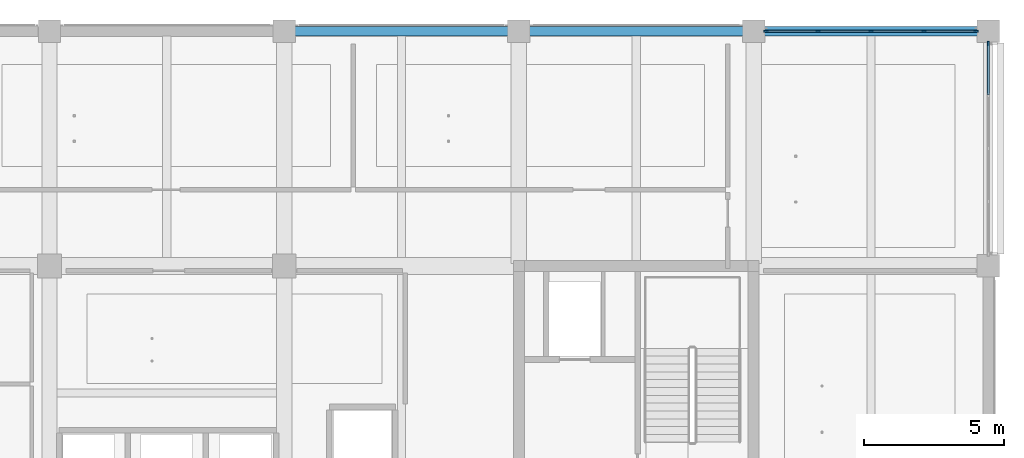
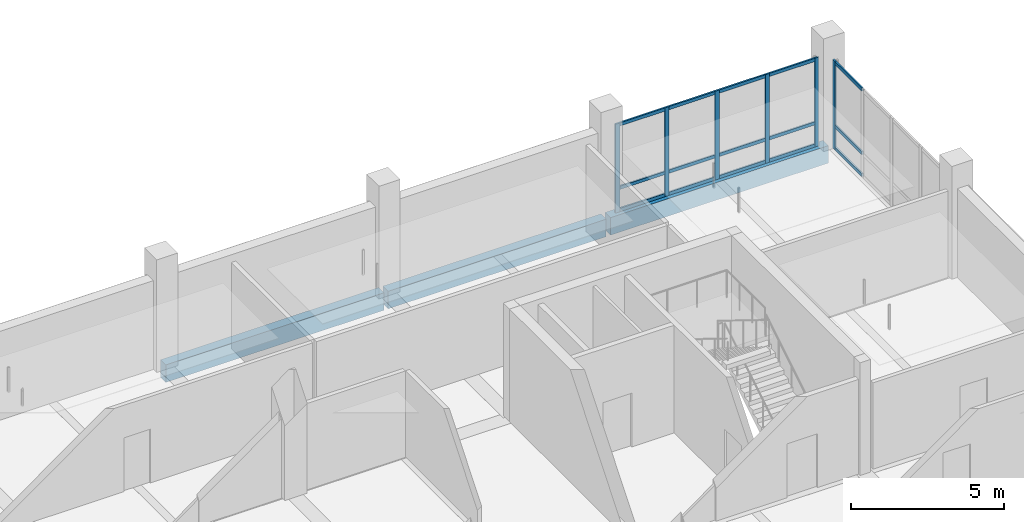
# One storey, part 9 of 35: 21 members, 3 beams, 2 elements without a shape of their own.
"""IFC4 building model written with IfcOpenShell, lengths in metres."""

from ifc_helpers import new_model, si_unit, direction, frame, origin, origin_2d, place, context, subcontext, project, spatial, rectangle, extrude, material, layer, layer_set, material_profile, profile_set, type_object, element, aggregate, save


model = new_model("IFC4")

# Units and contexts
model_context = context("Model", 3, precision=1e-05, world=origin(), true_north=direction((0.0, 1.0)))
body_context = subcontext(model_context, "Body", "Model", "MODEL_VIEW")
ifc_project = project(units=[si_unit("LENGTHUNIT", "METRE"), si_unit("AREAUNIT", "SQUARE_METRE"), si_unit("VOLUMEUNIT", "CUBIC_METRE"), si_unit("PLANEANGLEUNIT", "RADIAN"), si_unit("MASSUNIT", "GRAM", prefix="KILO")], contexts=[model_context])

# Site, building, storey
site_placement = place(None, origin())
site = spatial("IfcSite", under=ifc_project, at=site_placement, CompositionType="ELEMENT")
building_placement = place(site_placement, origin())
building = spatial("IfcBuilding", under=site, at=building_placement, Name="Telukmera Botanical Conservatory", CompositionType="ELEMENT")
storey_placement = place(building_placement, frame((0.0, 0.0, 28.5)))
storey = spatial("IfcBuildingStorey", under=building, at=storey_placement, Name="L06", CompositionType="ELEMENT", Elevation=28.5)

# Beams
ifc_material_1 = material(Name="Precast concrete C40/50", Category="concrete")
ifc_material_profile_1 = material_profile(ifc_material_1, rectangle(XDim=0.35009765625, YDim=0.699951171875, at=origin_2d()), Name="PC 350x700")
ifc_profile_set_1 = profile_set([ifc_material_profile_1], Name="Precast concrete C40/50")
beam_type = type_object("IfcBeamType", Name="Beam_SP2", PredefinedType="SPANDREL", material=ifc_profile_set_1)
for number, where, z_axis, x_axis, name in (
    (1, (84.080078125, 42.800048828125, -0.35009765625), (1.0, 0.0, 0.0), (0.0, 1.0, 0.0), "Tower Grid Beam L06"),
    (2, (92.47998046875, 42.800048828125, -0.35009765625), (1.0, 0.0, 0.0), (0.0, 1.0, 0.0), "Tower Grid Beam L06"),
):
    element("IfcBeam", number, at=place(storey_placement, frame(where, z_axis=z_axis, x_axis=x_axis)), inside=storey, type_object=beam_type, Name=name, PredefinedType="SPANDREL", context=body_context, shape_type="SweptSolid", body=[
        extrude(rectangle(XDim=0.35009765625, YDim=0.699951171875, at=origin_2d()), origin(), (0.0, 0.0, 1.0), 8.239990234375),
    ])
beam_placement = place(storey_placement, frame((100.8798828125, 42.800048828125, -0.35009765625), z_axis=(1.0, 0.0, 0.0), x_axis=(0.0, 1.0, 0.0)))
element("IfcBeam", 3, at=beam_placement, inside=storey, type_object=beam_type, Name="Tower Grid Beam L06", PredefinedType="SPANDREL", context=body_context, shape_type="SweptSolid", body=[
    extrude(rectangle(XDim=0.35009765625, YDim=0.699951171875, at=origin_2d()), origin(), (0.0, 0.0, 1.0), 8.240234375),
])

# Curtain wall, members
ifc_material_2 = material(Name="Anodised aluminium 6063-T6", Category="aluminium")
ifc_layer = layer(ifc_material_2, 0.179931640625)
ifc_layer_set = layer_set([ifc_layer], Name="Anodised aluminium 6063-T6")
curtain_wall_type = type_object("IfcCurtainWallType", Name="Tower Herbarium Curation Corner Curtain Wall", PredefinedType="USERDEFINED", material=ifc_layer_set)
curtain_wall_1_placement = place(storey_placement, origin())
curtain_wall_1 = element("IfcCurtainWall", 4, at=curtain_wall_1_placement, inside=storey, type_object=curtain_wall_type, Name="Unitised Curtain Wall CW14 V4:L06:N7", ObjectType="UNITISED CURTAIN WALL", PredefinedType="USERDEFINED")
ifc_material_profile_2 = material_profile(ifc_material_2, rectangle(XDim=0.06494140625, YDim=0.159912109375, at=origin_2d()), Name="ALU MULL 65x160")
ifc_profile_set_2 = profile_set([ifc_material_profile_2], Name="Anodised aluminium 6063-T6")
member_type_1 = type_object("IfcMemberType", Name="Curtain Wall Extruded Mullion 65x160", PredefinedType="MULLION", material=ifc_profile_set_2)
member_1_placement = place(storey_placement, frame((101.234619140625, 42.800048828125, 0.0), z_axis=(0.0, 0.0, 1.0), x_axis=(0.0, 1.0, 0.0)))
member_1 = element("IfcMember", 5, at=member_1_placement, type_object=member_type_1, Name="CW14 mullion 1", PredefinedType="MULLION", context=body_context, shape_type="SweptSolid", body=[
    extrude(rectangle(XDim=0.06494140625, YDim=0.159912109375, at=origin_2d()), origin(), (0.0, 0.0, 1.0), 3.550048828125),
])
member_2_placement = place(storey_placement, frame((103.10107421875, 42.800048828125, 0.0), z_axis=(0.0, 0.0, 1.0), x_axis=(0.0, 1.0, 0.0)))
member_2 = element("IfcMember", 6, at=member_2_placement, type_object=member_type_1, Name="CW14 mullion 2", PredefinedType="MULLION", context=body_context, shape_type="SweptSolid", body=[
    extrude(rectangle(XDim=0.06494140625, YDim=0.159912109375, at=origin_2d()), origin(), (0.0, 0.0, 1.0), 3.550048828125),
])
member_3_placement = place(storey_placement, frame((105.0, 42.800048828125, 0.0), z_axis=(0.0, 0.0, 1.0), x_axis=(0.0, 1.0, 0.0)))
member_3 = element("IfcMember", 7, at=member_3_placement, type_object=member_type_1, Name="CW14 mullion 3", PredefinedType="MULLION", context=body_context, shape_type="SweptSolid", body=[
    extrude(rectangle(XDim=0.06494140625, YDim=0.159912109375, at=origin_2d()), origin(), (0.0, 0.0, 1.0), 3.550048828125),
])
member_4_placement = place(storey_placement, frame((106.89892578125, 42.800048828125, 0.0), z_axis=(0.0, 0.0, 1.0), x_axis=(0.0, 1.0, 0.0)))
member_4 = element("IfcMember", 8, at=member_4_placement, type_object=member_type_1, Name="CW14 mullion 4", PredefinedType="MULLION", context=body_context, shape_type="SweptSolid", body=[
    extrude(rectangle(XDim=0.06494140625, YDim=0.159912109375, at=origin_2d()), origin(), (0.0, 0.0, 1.0), 3.550048828125),
])
member_5_placement = place(storey_placement, frame((108.765380859375, 42.800048828125, 0.0), z_axis=(0.0, 0.0, 1.0), x_axis=(0.0, 1.0, 0.0)))
member_5 = element("IfcMember", 9, at=member_5_placement, type_object=member_type_1, Name="CW14 mullion 5", PredefinedType="MULLION", context=body_context, shape_type="SweptSolid", body=[
    extrude(rectangle(XDim=0.06494140625, YDim=0.159912109375, at=origin_2d()), origin(), (0.0, 0.0, 1.0), 3.550048828125),
])

# Curtain wall, member
curtain_wall_2_placement = place(storey_placement, origin())
curtain_wall_2 = element("IfcCurtainWall", 10, at=curtain_wall_2_placement, inside=storey, type_object=curtain_wall_type, Name="Unitised Curtain Wall CW14 V4:L06:E4", ObjectType="UNITISED CURTAIN WALL", PredefinedType="USERDEFINED")
member_6_placement = place(storey_placement, frame((109.199951171875, 42.365478515625, 0.0), z_axis=(0.0, 0.0, 1.0), x_axis=(-1.0, 0.0, 0.0)))
member_6 = element("IfcMember", 11, at=member_6_placement, type_object=member_type_1, Name="CW14 mullion 5", PredefinedType="MULLION", context=body_context, shape_type="SweptSolid", body=[
    extrude(rectangle(XDim=0.06494140625, YDim=0.159912109375, at=origin_2d()), origin(), (0.0, 0.0, 1.0), 3.550048828125),
])

# Member
ifc_material_profile_3 = material_profile(ifc_material_2, rectangle(XDim=0.06494140625, YDim=0.1298828125, at=origin_2d()), Name="ALU TRAN 65x130")
ifc_profile_set_3 = profile_set([ifc_material_profile_3], Name="Anodised aluminium 6063-T6")
member_type_2 = type_object("IfcMemberType", Name="Curtain Wall Extruded Transom 65x130", PredefinedType="USERDEFINED", material=ifc_profile_set_3)
member_7_placement = place(storey_placement, frame((101.26708984375, 42.800048828125, 0.06494140625), z_axis=(1.0, 0.0, 0.0), x_axis=(0.0, 1.0, 0.0)))
member_7 = element("IfcMember", 12, at=member_7_placement, type_object=member_type_2, Name="CW14 transom 1.1", ObjectType="TRANSOM", PredefinedType="USERDEFINED", context=body_context, shape_type="SweptSolid", body=[
    extrude(rectangle(XDim=0.06494140625, YDim=0.1298828125, at=origin_2d()), origin(), (0.0, 0.0, 1.0), 1.801513671875),
])

member_8_placement = place(storey_placement, frame((101.26708984375, 42.800048828125, 0.949951171875), z_axis=(1.0, 0.0, 0.0), x_axis=(0.0, 1.0, 0.0)))
member_8 = element("IfcMember", 13, at=member_8_placement, type_object=member_type_2, Name="CW14 transom 1.2", ObjectType="TRANSOM", PredefinedType="USERDEFINED", context=body_context, shape_type="SweptSolid", body=[
    extrude(rectangle(XDim=0.06494140625, YDim=0.1298828125, at=origin_2d()), origin(), (0.0, 0.0, 1.0), 1.801513671875),
])

member_9_placement = place(storey_placement, frame((101.26708984375, 42.800048828125, 3.485107421875), z_axis=(1.0, 0.0, 0.0), x_axis=(0.0, 1.0, 0.0)))
member_9 = element("IfcMember", 14, at=member_9_placement, type_object=member_type_2, Name="CW14 transom 1.3", ObjectType="TRANSOM", PredefinedType="USERDEFINED", context=body_context, shape_type="SweptSolid", body=[
    extrude(rectangle(XDim=0.06494140625, YDim=0.1298828125, at=origin_2d()), origin(), (0.0, 0.0, 1.0), 1.801513671875),
])

member_10_placement = place(storey_placement, frame((103.133544921875, 42.800048828125, 0.06494140625), z_axis=(1.0, 0.0, 0.0), x_axis=(0.0, 1.0, 0.0)))
member_10 = element("IfcMember", 15, at=member_10_placement, type_object=member_type_2, Name="CW14 transom 2.1", ObjectType="TRANSOM", PredefinedType="USERDEFINED", context=body_context, shape_type="SweptSolid", body=[
    extrude(rectangle(XDim=0.06494140625, YDim=0.1298828125, at=origin_2d()), origin(), (0.0, 0.0, 1.0), 1.833984375),
])

member_11_placement = place(storey_placement, frame((103.133544921875, 42.800048828125, 0.949951171875), z_axis=(1.0, 0.0, 0.0), x_axis=(0.0, 1.0, 0.0)))
member_11 = element("IfcMember", 16, at=member_11_placement, type_object=member_type_2, Name="CW14 transom 2.2", ObjectType="TRANSOM", PredefinedType="USERDEFINED", context=body_context, shape_type="SweptSolid", body=[
    extrude(rectangle(XDim=0.06494140625, YDim=0.1298828125, at=origin_2d()), origin(), (0.0, 0.0, 1.0), 1.833984375),
])

member_12_placement = place(storey_placement, frame((103.133544921875, 42.800048828125, 3.485107421875), z_axis=(1.0, 0.0, 0.0), x_axis=(0.0, 1.0, 0.0)))
member_12 = element("IfcMember", 17, at=member_12_placement, type_object=member_type_2, Name="CW14 transom 2.3", ObjectType="TRANSOM", PredefinedType="USERDEFINED", context=body_context, shape_type="SweptSolid", body=[
    extrude(rectangle(XDim=0.06494140625, YDim=0.1298828125, at=origin_2d()), origin(), (0.0, 0.0, 1.0), 1.833984375),
])

member_13_placement = place(storey_placement, frame((105.032470703125, 42.800048828125, 0.06494140625), z_axis=(1.0, 0.0, 0.0), x_axis=(0.0, 1.0, 0.0)))
member_13 = element("IfcMember", 18, at=member_13_placement, type_object=member_type_2, Name="CW14 transom 3.1", ObjectType="TRANSOM", PredefinedType="USERDEFINED", context=body_context, shape_type="SweptSolid", body=[
    extrude(rectangle(XDim=0.06494140625, YDim=0.1298828125, at=origin_2d()), origin(), (0.0, 0.0, 1.0), 1.833984375),
])

member_14_placement = place(storey_placement, frame((105.032470703125, 42.800048828125, 0.949951171875), z_axis=(1.0, 0.0, 0.0), x_axis=(0.0, 1.0, 0.0)))
member_14 = element("IfcMember", 19, at=member_14_placement, type_object=member_type_2, Name="CW14 transom 3.2", ObjectType="TRANSOM", PredefinedType="USERDEFINED", context=body_context, shape_type="SweptSolid", body=[
    extrude(rectangle(XDim=0.06494140625, YDim=0.1298828125, at=origin_2d()), origin(), (0.0, 0.0, 1.0), 1.833984375),
])

member_15_placement = place(storey_placement, frame((105.032470703125, 42.800048828125, 3.485107421875), z_axis=(1.0, 0.0, 0.0), x_axis=(0.0, 1.0, 0.0)))
member_15 = element("IfcMember", 20, at=member_15_placement, type_object=member_type_2, Name="CW14 transom 3.3", ObjectType="TRANSOM", PredefinedType="USERDEFINED", context=body_context, shape_type="SweptSolid", body=[
    extrude(rectangle(XDim=0.06494140625, YDim=0.1298828125, at=origin_2d()), origin(), (0.0, 0.0, 1.0), 1.833984375),
])

member_16_placement = place(storey_placement, frame((106.931396484375, 42.800048828125, 0.06494140625), z_axis=(1.0, 0.0, 0.0), x_axis=(0.0, 1.0, 0.0)))
member_16 = element("IfcMember", 21, at=member_16_placement, type_object=member_type_2, Name="CW14 transom 4.1", ObjectType="TRANSOM", PredefinedType="USERDEFINED", context=body_context, shape_type="SweptSolid", body=[
    extrude(rectangle(XDim=0.06494140625, YDim=0.1298828125, at=origin_2d()), origin(), (0.0, 0.0, 1.0), 1.801513671875),
])

member_17_placement = place(storey_placement, frame((106.931396484375, 42.800048828125, 0.949951171875), z_axis=(1.0, 0.0, 0.0), x_axis=(0.0, 1.0, 0.0)))
member_17 = element("IfcMember", 22, at=member_17_placement, type_object=member_type_2, Name="CW14 transom 4.2", ObjectType="TRANSOM", PredefinedType="USERDEFINED", context=body_context, shape_type="SweptSolid", body=[
    extrude(rectangle(XDim=0.06494140625, YDim=0.1298828125, at=origin_2d()), origin(), (0.0, 0.0, 1.0), 1.801513671875),
])

member_18_placement = place(storey_placement, frame((106.931396484375, 42.800048828125, 3.485107421875), z_axis=(1.0, 0.0, 0.0), x_axis=(0.0, 1.0, 0.0)))
member_18 = element("IfcMember", 23, at=member_18_placement, type_object=member_type_2, Name="CW14 transom 4.3", ObjectType="TRANSOM", PredefinedType="USERDEFINED", context=body_context, shape_type="SweptSolid", body=[
    extrude(rectangle(XDim=0.06494140625, YDim=0.1298828125, at=origin_2d()), origin(), (0.0, 0.0, 1.0), 1.801513671875),
])

aggregate(curtain_wall_1, [member_1, member_2, member_3, member_4, member_5, member_7, member_8, member_9, member_10, member_11, member_12, member_13, member_14, member_15, member_16, member_17, member_18])

member_19_placement = place(storey_placement, frame((109.199951171875, 40.531494140625, 0.06494140625), z_axis=(0.0, 1.0, 0.0), x_axis=(-1.0, 0.0, 0.0)))
member_19 = element("IfcMember", 24, at=member_19_placement, type_object=member_type_2, Name="CW14 transom 4.1", ObjectType="TRANSOM", PredefinedType="USERDEFINED", context=body_context, shape_type="SweptSolid", body=[
    extrude(rectangle(XDim=0.06494140625, YDim=0.1298828125, at=origin_2d()), origin(), (0.0, 0.0, 1.0), 1.801513671875),
])

member_20_placement = place(storey_placement, frame((109.199951171875, 40.531494140625, 0.949951171875), z_axis=(0.0, 1.0, 0.0), x_axis=(-1.0, 0.0, 0.0)))
member_20 = element("IfcMember", 25, at=member_20_placement, type_object=member_type_2, Name="CW14 transom 4.2", ObjectType="TRANSOM", PredefinedType="USERDEFINED", context=body_context, shape_type="SweptSolid", body=[
    extrude(rectangle(XDim=0.06494140625, YDim=0.1298828125, at=origin_2d()), origin(), (0.0, 0.0, 1.0), 1.801513671875),
])

member_21_placement = place(storey_placement, frame((109.199951171875, 40.531494140625, 3.485107421875), z_axis=(0.0, 1.0, 0.0), x_axis=(-1.0, 0.0, 0.0)))
member_21 = element("IfcMember", 26, at=member_21_placement, type_object=member_type_2, Name="CW14 transom 4.3", ObjectType="TRANSOM", PredefinedType="USERDEFINED", context=body_context, shape_type="SweptSolid", body=[
    extrude(rectangle(XDim=0.06494140625, YDim=0.1298828125, at=origin_2d()), origin(), (0.0, 0.0, 1.0), 1.801513671875),
])

aggregate(curtain_wall_2, [member_6, member_19, member_20, member_21])

save(model, "model.ifc")
